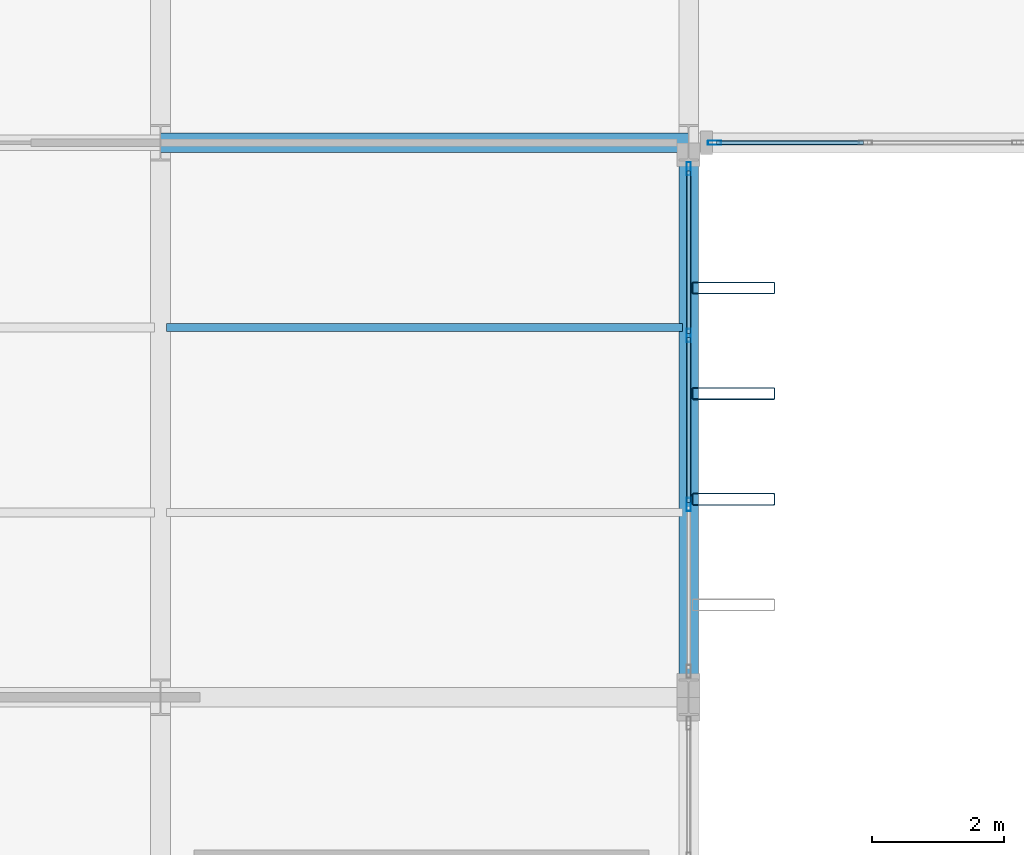
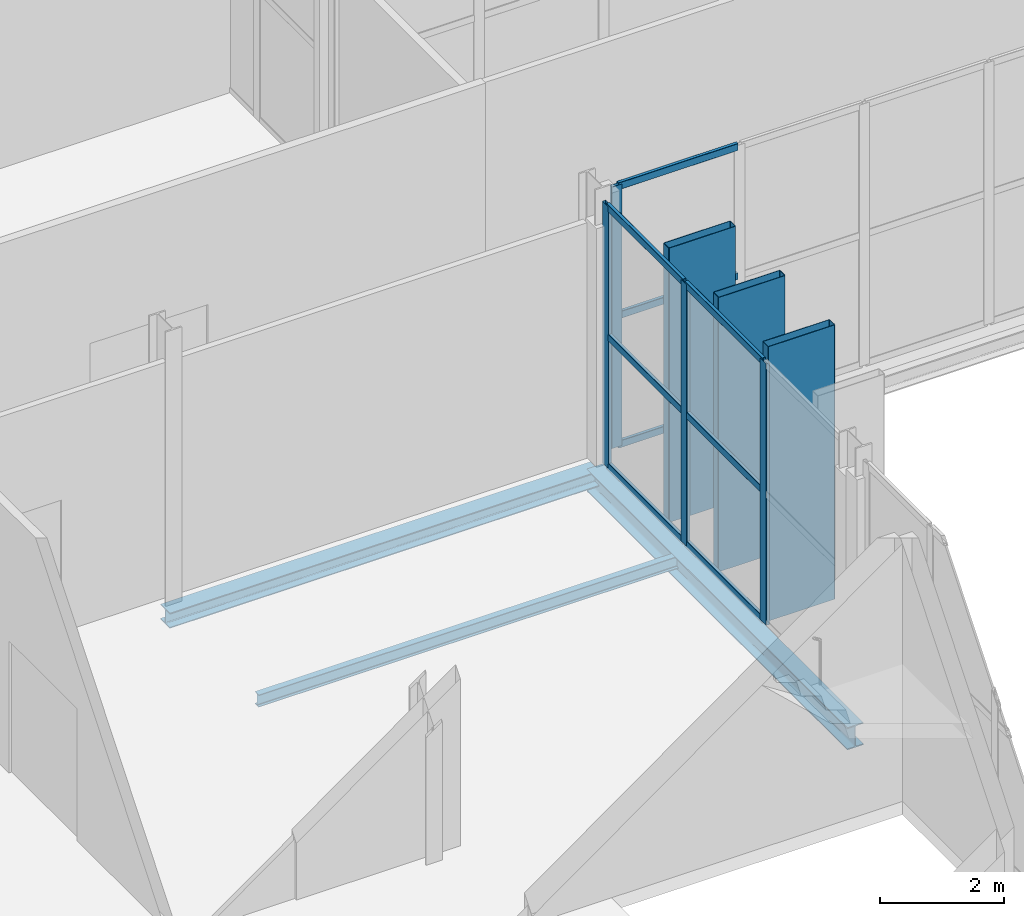
# One storey, part 56 of 147: 16 members, 3 beams, 2 elements without a shape of their own.
"""IFC4 building model written with IfcOpenShell, lengths in metres."""

from ifc_helpers import new_model, si_unit, direction, frame, origin, origin_2d, place, context, subcontext, project, spatial, hollow_rectangle, i_section, extrude, material, layer, layer_set, material_profile, profile_set, type_object, element, aggregate, save


model = new_model("IFC4")

# Units and contexts
model_context = context("Model", 3, precision=1e-05, world=origin(), true_north=direction((0.0, 1.0)))
body_context = subcontext(model_context, "Body", "Model", "MODEL_VIEW")
ifc_project = project(units=[si_unit("LENGTHUNIT", "METRE"), si_unit("AREAUNIT", "SQUARE_METRE"), si_unit("VOLUMEUNIT", "CUBIC_METRE"), si_unit("PLANEANGLEUNIT", "RADIAN"), si_unit("MASSUNIT", "GRAM", prefix="KILO")], contexts=[model_context])

# Site, building, storey
site_placement = place(None, origin())
site = spatial("IfcSite", under=ifc_project, at=site_placement, CompositionType="ELEMENT")
building_placement = place(site_placement, origin())
building = spatial("IfcBuilding", under=site, at=building_placement, Name="Vekula Escarpment Museum", CompositionType="ELEMENT")
storey_placement = place(building_placement, frame((0.0, 0.0, 7.800048828125)))
storey = spatial("IfcBuildingStorey", under=building, at=storey_placement, Name="L02", CompositionType="ELEMENT", Elevation=7.800048828125)

# Beams
ifc_material_1 = material(Name="Steel S355", Category="steel")
ifc_material_profile_1 = material_profile(ifc_material_1, i_section(OverallWidth=0.300048828125, OverallDepth=0.300048828125, WebThickness=0.010986328125, FlangeThickness=0.01904296875, FilletRadius=0.027099609375, at=origin_2d()), Name="HEB 300")
ifc_profile_set_1 = profile_set([ifc_material_profile_1], Name="Steel S355")
beam_type_1 = type_object("IfcBeamType", Name="BM-GIRD-HEB300", PredefinedType="BEAM", material=ifc_profile_set_1)
beam_1_placement = place(storey_placement, frame((118.0, 68.0, -0.41015625), z_axis=(1.0, 0.0, 0.0), x_axis=(0.0, 1.0, 0.0)))
element("IfcBeam", 1, at=beam_1_placement, inside=storey, type_object=beam_type_1, Name="Beam X L02 0900", PredefinedType="BEAM", context=body_context, shape_type="SweptSolid", body=[
    extrude(i_section(OverallWidth=0.300048828125, OverallDepth=0.300048828125, WebThickness=0.010986328125, FlangeThickness=0.01904296875, FilletRadius=0.027099609375, at=origin_2d()), origin(), (0.0, 0.0, 1.0), 8.0),
])
ifc_material_2 = material(Name="Steel S355", Category="steel")
ifc_material_profile_2 = material_profile(ifc_material_2, i_section(OverallWidth=0.1201171875, OverallDepth=0.239990234375, WebThickness=0.006103515625, FlangeThickness=0.009765625, FilletRadius=0.014892578125, at=origin_2d()), Name="IPE 240")
ifc_profile_set_2 = profile_set([ifc_material_profile_2], Name="Steel S355")
beam_type_2 = type_object("IfcBeamType", Name="BM-JST-IPE240", PredefinedType="JOIST", material=ifc_profile_set_2)
beam_2_placement = place(storey_placement, frame((118.090087890625, 65.199951171875, -0.380126953125), z_axis=(1.0, 0.0, 0.0), x_axis=(0.0, 1.0, 0.0)))
element("IfcBeam", 2, at=beam_2_placement, inside=storey, type_object=beam_type_2, Name="Secondary Joist L02 0818", PredefinedType="JOIST", context=body_context, shape_type="SweptSolid", body=[
    extrude(i_section(OverallWidth=0.1201171875, OverallDepth=0.239990234375, WebThickness=0.006103515625, FlangeThickness=0.009765625, FilletRadius=0.014892578125, at=origin_2d()), origin(), (0.0, 0.0, 1.0), 7.81982421875),
])
ifc_material_3 = material(Name="Steel S355", Category="steel")
ifc_material_profile_3 = material_profile(ifc_material_3, i_section(OverallWidth=0.300048828125, OverallDepth=0.43994140625, WebThickness=0.011474609375, FlangeThickness=0.02099609375, FilletRadius=0.027099609375, at=origin_2d()), Name="HEA 450")
ifc_profile_set_3 = profile_set([ifc_material_profile_3], Name="Steel S355")
beam_type_3 = type_object("IfcBeamType", Name="BM-SPAN-HEA450", PredefinedType="SPANDREL", material=ifc_profile_set_3)
beam_3_placement = place(storey_placement, frame((126.0, 59.60009765625, -0.47998046875), z_axis=(0.0, 1.0, 0.0), x_axis=(-1.0, 0.0, 0.0)))
element("IfcBeam", 3, at=beam_3_placement, inside=storey, type_object=beam_type_3, Name="Beam Y L02 1204", PredefinedType="SPANDREL", context=body_context, shape_type="SweptSolid", body=[
    extrude(i_section(OverallWidth=0.300048828125, OverallDepth=0.43994140625, WebThickness=0.011474609375, FlangeThickness=0.02099609375, FilletRadius=0.027099609375, at=origin_2d()), origin(), (0.0, 0.0, 1.0), 8.39990234375),
])

# Curtain wall, members
ifc_material_4 = material(Name="Aluminium thermally broken framing", Category="aluminium")
ifc_layer_1 = layer(ifc_material_4, 0.159912109375)
ifc_layer_set_1 = layer_set([ifc_layer_1], Name="Aluminium thermally broken framing")
curtain_wall_type_1 = type_object("IfcCurtainWallType", Name="CW-SYS-02", PredefinedType="NOTDEFINED", material=ifc_layer_set_1)
curtain_wall_1_placement = place(storey_placement, origin())
curtain_wall_1 = element("IfcCurtainWall", 4, at=curtain_wall_1_placement, inside=storey, type_object=curtain_wall_type_1, Name="Curtain Wall CW-L02-062", PredefinedType="NOTDEFINED")
ifc_material_5 = material(Name="Aluminium anodized mullion", Category="aluminium")
ifc_material_profile_4 = material_profile(ifc_material_5, hollow_rectangle(XDim=0.06494140625, YDim=0.199951171875, WallThickness=0.00390625, InnerFilletRadius=0.00390625, OuterFilletRadius=0.008056640625, at=origin_2d()), Name="ALU 200x65x4")
ifc_profile_set_4 = profile_set([ifc_material_profile_4], Name="Aluminium anodized mullion")
member_type_1 = type_object("IfcMemberType", Name="CW-MUL-200", PredefinedType="MULLION", material=ifc_profile_set_4)
member_1_placement = place(storey_placement, frame((126.0, 62.52001953125, 0.0), z_axis=(0.0, 0.0, 1.0), x_axis=(-1.0, 0.0, 0.0)))
member_1 = element("IfcMember", 5, at=member_1_placement, type_object=member_type_1, Name="CW-02 mullion 2", PredefinedType="MULLION", context=body_context, shape_type="SweptSolid", body=[
    extrude(hollow_rectangle(XDim=0.06494140625, YDim=0.199951171875, WallThickness=0.00390625, InnerFilletRadius=0.00390625, OuterFilletRadius=0.008056640625, at=origin_2d()), origin(), (0.0, 0.0, 1.0), 5.14990234375),
])
member_2_placement = place(storey_placement, frame((126.0, 65.080078125, 0.0), z_axis=(0.0, 0.0, 1.0), x_axis=(-1.0, 0.0, 0.0)))
member_2 = element("IfcMember", 6, at=member_2_placement, type_object=member_type_1, Name="CW-02 mullion 3", PredefinedType="MULLION", context=body_context, shape_type="SweptSolid", body=[
    extrude(hollow_rectangle(XDim=0.06494140625, YDim=0.199951171875, WallThickness=0.00390625, InnerFilletRadius=0.00390625, OuterFilletRadius=0.008056640625, at=origin_2d()), origin(), (0.0, 0.0, 1.0), 5.14990234375),
])
member_3_placement = place(storey_placement, frame((126.0, 67.607421875, 0.0), z_axis=(0.0, 0.0, 1.0), x_axis=(-1.0, 0.0, 0.0)))
member_3 = element("IfcMember", 7, at=member_3_placement, type_object=member_type_1, Name="CW-02 mullion 4", PredefinedType="MULLION", context=body_context, shape_type="SweptSolid", body=[
    extrude(hollow_rectangle(XDim=0.06494140625, YDim=0.199951171875, WallThickness=0.00390625, InnerFilletRadius=0.00390625, OuterFilletRadius=0.008056640625, at=origin_2d()), origin(), (0.0, 0.0, 1.0), 5.14990234375),
])

# Curtain wall, member
ifc_material_6 = material(Name="Aluminium thermally broken framing", Category="aluminium")
ifc_layer_2 = layer(ifc_material_6, 0.199951171875)
ifc_layer_set_2 = layer_set([ifc_layer_2], Name="Aluminium thermally broken framing")
curtain_wall_type_2 = type_object("IfcCurtainWallType", Name="CW-SYS-03", PredefinedType="NOTDEFINED", material=ifc_layer_set_2)
curtain_wall_2_placement = place(storey_placement, origin())
curtain_wall_2 = element("IfcCurtainWall", 8, at=curtain_wall_2_placement, inside=storey, type_object=curtain_wall_type_2, Name="Curtain Wall CW-L02-063", PredefinedType="NOTDEFINED")
member_4_placement = place(storey_placement, frame((126.392578125, 68.0, 0.0), z_axis=(0.0, 0.0, 1.0), x_axis=(0.0, 1.0, 0.0)))
member_4 = element("IfcMember", 9, at=member_4_placement, type_object=member_type_1, Name="CW-03 mullion 1", PredefinedType="MULLION", context=body_context, shape_type="SweptSolid", body=[
    extrude(hollow_rectangle(XDim=0.06494140625, YDim=0.199951171875, WallThickness=0.00390625, InnerFilletRadius=0.00390625, OuterFilletRadius=0.008056640625, at=origin_2d()), origin(), (0.0, 0.0, 1.0), 5.14990234375),
])

# Member
ifc_material_7 = material(Name="Aluminium anodized transom", Category="aluminium")
ifc_material_profile_5 = material_profile(ifc_material_7, hollow_rectangle(XDim=0.06494140625, YDim=0.139892578125, WallThickness=0.00390625, InnerFilletRadius=0.00390625, OuterFilletRadius=0.008056640625, at=origin_2d()), Name="ALU 140x65x4")
ifc_profile_set_5 = profile_set([ifc_material_profile_5], Name="Aluminium anodized transom")
member_type_2 = type_object("IfcMemberType", Name="CW-TRN-140", PredefinedType="USERDEFINED", material=ifc_profile_set_5)
member_5_placement = place(storey_placement, frame((126.0, 62.552490234375, 0.032470703125), z_axis=(0.0, 1.0, 0.0), x_axis=(-1.0, 0.0, 0.0)))
member_5 = element("IfcMember", 10, at=member_5_placement, type_object=member_type_2, Name="CW-02 transom 2.1", ObjectType="TRANSOM", PredefinedType="USERDEFINED", context=body_context, shape_type="SweptSolid", body=[
    extrude(hollow_rectangle(XDim=0.06494140625, YDim=0.139892578125, WallThickness=0.00390625, InnerFilletRadius=0.00390625, OuterFilletRadius=0.008056640625, at=origin_2d()), origin(), (0.0, 0.0, 1.0), 2.4951171875),
])

member_6_placement = place(storey_placement, frame((126.0, 62.552490234375, 2.574951171875), z_axis=(0.0, 1.0, 0.0), x_axis=(-1.0, 0.0, 0.0)))
member_6 = element("IfcMember", 11, at=member_6_placement, type_object=member_type_2, Name="CW-02 transom 2.2", ObjectType="TRANSOM", PredefinedType="USERDEFINED", context=body_context, shape_type="SweptSolid", body=[
    extrude(hollow_rectangle(XDim=0.06494140625, YDim=0.139892578125, WallThickness=0.00390625, InnerFilletRadius=0.00390625, OuterFilletRadius=0.008056640625, at=origin_2d()), origin(), (0.0, 0.0, 1.0), 2.4951171875),
])

member_7_placement = place(storey_placement, frame((126.0, 62.552490234375, 5.117431640625), z_axis=(0.0, 1.0, 0.0), x_axis=(-1.0, 0.0, 0.0)))
member_7 = element("IfcMember", 12, at=member_7_placement, type_object=member_type_2, Name="CW-02 transom 2.3", ObjectType="TRANSOM", PredefinedType="USERDEFINED", context=body_context, shape_type="SweptSolid", body=[
    extrude(hollow_rectangle(XDim=0.06494140625, YDim=0.139892578125, WallThickness=0.00390625, InnerFilletRadius=0.00390625, OuterFilletRadius=0.008056640625, at=origin_2d()), origin(), (0.0, 0.0, 1.0), 2.4951171875),
])

member_8_placement = place(storey_placement, frame((126.0, 65.112548828125, 0.032470703125), z_axis=(0.0, 1.0, 0.0), x_axis=(-1.0, 0.0, 0.0)))
member_8 = element("IfcMember", 13, at=member_8_placement, type_object=member_type_2, Name="CW-02 transom 3.1", ObjectType="TRANSOM", PredefinedType="USERDEFINED", context=body_context, shape_type="SweptSolid", body=[
    extrude(hollow_rectangle(XDim=0.06494140625, YDim=0.139892578125, WallThickness=0.00390625, InnerFilletRadius=0.00390625, OuterFilletRadius=0.008056640625, at=origin_2d()), origin(), (0.0, 0.0, 1.0), 2.46240234375),
])

member_9_placement = place(storey_placement, frame((126.0, 65.112548828125, 2.574951171875), z_axis=(0.0, 1.0, 0.0), x_axis=(-1.0, 0.0, 0.0)))
member_9 = element("IfcMember", 14, at=member_9_placement, type_object=member_type_2, Name="CW-02 transom 3.2", ObjectType="TRANSOM", PredefinedType="USERDEFINED", context=body_context, shape_type="SweptSolid", body=[
    extrude(hollow_rectangle(XDim=0.06494140625, YDim=0.139892578125, WallThickness=0.00390625, InnerFilletRadius=0.00390625, OuterFilletRadius=0.008056640625, at=origin_2d()), origin(), (0.0, 0.0, 1.0), 2.46240234375),
])

member_10_placement = place(storey_placement, frame((126.0, 65.112548828125, 5.117431640625), z_axis=(0.0, 1.0, 0.0), x_axis=(-1.0, 0.0, 0.0)))
member_10 = element("IfcMember", 15, at=member_10_placement, type_object=member_type_2, Name="CW-02 transom 3.3", ObjectType="TRANSOM", PredefinedType="USERDEFINED", context=body_context, shape_type="SweptSolid", body=[
    extrude(hollow_rectangle(XDim=0.06494140625, YDim=0.139892578125, WallThickness=0.00390625, InnerFilletRadius=0.00390625, OuterFilletRadius=0.008056640625, at=origin_2d()), origin(), (0.0, 0.0, 1.0), 2.46240234375),
])

aggregate(curtain_wall_1, [member_1, member_2, member_3, member_5, member_6, member_7, member_8, member_9, member_10])

member_11_placement = place(storey_placement, frame((126.425048828125, 68.0, 0.032470703125), z_axis=(1.0, 0.0, 0.0), x_axis=(0.0, 1.0, 0.0)))
member_11 = element("IfcMember", 16, at=member_11_placement, type_object=member_type_2, Name="CW-03 transom 1.1", ObjectType="TRANSOM", PredefinedType="USERDEFINED", context=body_context, shape_type="SweptSolid", body=[
    extrude(hollow_rectangle(XDim=0.06494140625, YDim=0.139892578125, WallThickness=0.00390625, InnerFilletRadius=0.00390625, OuterFilletRadius=0.008056640625, at=origin_2d()), origin(), (0.0, 0.0, 1.0), 2.222412109375),
])

member_12_placement = place(storey_placement, frame((126.425048828125, 68.0, 2.574951171875), z_axis=(1.0, 0.0, 0.0), x_axis=(0.0, 1.0, 0.0)))
member_12 = element("IfcMember", 17, at=member_12_placement, type_object=member_type_2, Name="CW-03 transom 1.2", ObjectType="TRANSOM", PredefinedType="USERDEFINED", context=body_context, shape_type="SweptSolid", body=[
    extrude(hollow_rectangle(XDim=0.06494140625, YDim=0.139892578125, WallThickness=0.00390625, InnerFilletRadius=0.00390625, OuterFilletRadius=0.008056640625, at=origin_2d()), origin(), (0.0, 0.0, 1.0), 2.222412109375),
])

member_13_placement = place(storey_placement, frame((126.425048828125, 68.0, 5.117431640625), z_axis=(1.0, 0.0, 0.0), x_axis=(0.0, 1.0, 0.0)))
member_13 = element("IfcMember", 18, at=member_13_placement, type_object=member_type_2, Name="CW-03 transom 1.3", ObjectType="TRANSOM", PredefinedType="USERDEFINED", context=body_context, shape_type="SweptSolid", body=[
    extrude(hollow_rectangle(XDim=0.06494140625, YDim=0.139892578125, WallThickness=0.00390625, InnerFilletRadius=0.00390625, OuterFilletRadius=0.008056640625, at=origin_2d()), origin(), (0.0, 0.0, 1.0), 2.222412109375),
])

aggregate(curtain_wall_2, [member_4, member_11, member_12, member_13])

# Members
ifc_material_8 = material(Name="Steel S355 weathered bronze solar fin", Category="steel")
ifc_material_profile_6 = material_profile(ifc_material_8, hollow_rectangle(XDim=0.179931640625, YDim=1.25, WallThickness=0.010009765625, InnerFilletRadius=0.010009765625, OuterFilletRadius=0.02001953125, at=origin_2d()), Name="RHS 1250x180x10")
ifc_profile_set_6 = profile_set([ifc_material_profile_6], Name="Steel S355 weathered bronze solar fin")
member_type_3 = type_object("IfcMemberType", Name="MB-SOLAR-FIN", PredefinedType="USERDEFINED", material=ifc_profile_set_6)
for number, where, z_axis, x_axis, name in (
    (19, (126.679931640625, 62.60009765625, 0.0), (0.0, 0.0, 1.0), (0.0, 1.0, 0.0), "Great Hall Vertical Solar Fin 0372"),
    (20, (126.679931640625, 64.199951171875, 0.0), (0.0, 0.0, 1.0), (0.0, 1.0, 0.0), "Great Hall Vertical Solar Fin 0377"),
    (21, (126.679931640625, 65.800048828125, 0.0), (0.0, 0.0, 1.0), (0.0, 1.0, 0.0), "Great Hall Vertical Solar Fin 0382"),
):
    element("IfcMember", number, at=place(storey_placement, frame(where, z_axis=z_axis, x_axis=x_axis)), inside=storey, type_object=member_type_3, Name=name, ObjectType="SOLAR FIN", PredefinedType="USERDEFINED", context=body_context, shape_type="SweptSolid", body=[
        extrude(hollow_rectangle(XDim=0.179931640625, YDim=1.25, WallThickness=0.010009765625, InnerFilletRadius=0.010009765625, OuterFilletRadius=0.02001953125, at=origin_2d()), origin(), (0.0, 0.0, 1.0), 5.39990234375),
    ])

save(model, "model.ifc")
